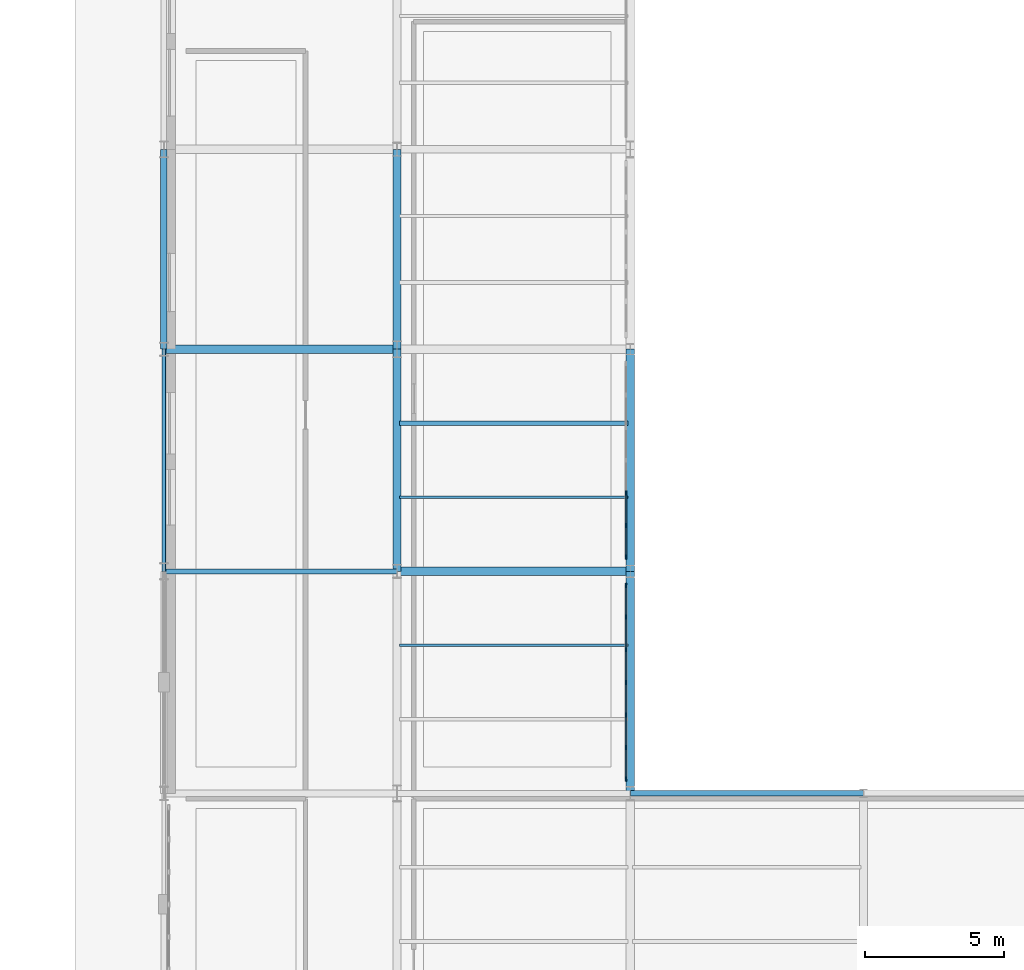
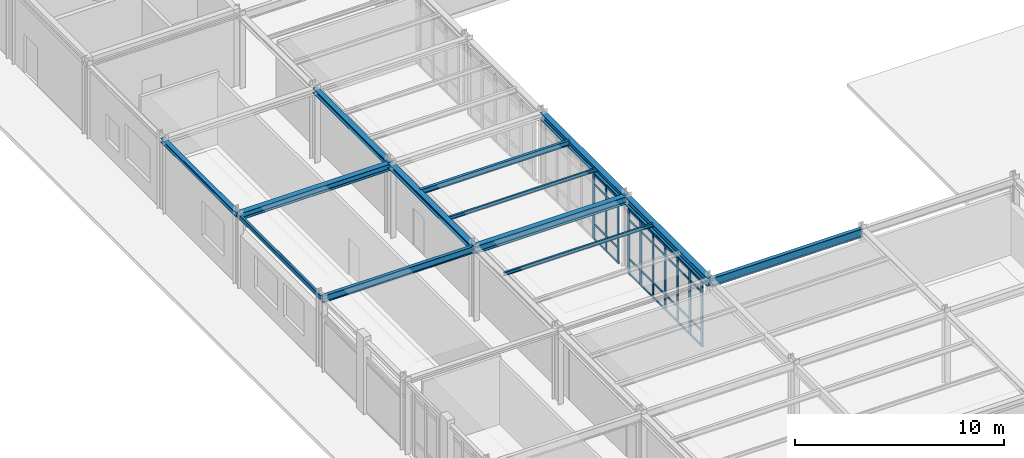
# One storey, part 38 of 101: 42 members, 13 beams, 2 elements without a shape of their own.
"""IFC4 building model written with IfcOpenShell, lengths in metres."""

import ifcopenshell
import ifcopenshell.guid

model = None  # the IFC model being written
_history = None  # IfcOwnerHistory: only IFC2X3 demands one
_inside = {}  # id of a spatial element -> (the spatial element, [elements in it])
_under = {}  # id of a project, library or spatial element -> (it, [spatial elements below it])
_declared = {}  # id of a project -> (the project, [libraries it declares])
_typed = {}  # id of a type object -> (the type object, [elements of that type])
_made_of = {}  # id of a material, layer set ... -> (it, [elements and type objects made of it])


def new_model(schema):
    """Start an empty IFC model of exactly this schema.

    Asked for "IFC4X3", IfcOpenShell would pick the latest addendum, in which some entities
    have other attributes; the version numbers below select the first issue.
    IFC2X3 requires an IfcOwnerHistory on every rooted entity: one is made here for all.
    """
    global model, _history
    if schema == "IFC4X3":
        model = ifcopenshell.file(schema_version=(4, 3, 0, 0))
    else:
        model = ifcopenshell.file(schema=schema)
    _inside.clear()
    _under.clear()
    _declared.clear()
    _typed.clear()
    _made_of.clear()
    _history = None
    if model.schema == "IFC2X3":
        org = make("IfcOrganization", Name="unknown")
        user = make(
            "IfcPersonAndOrganization",
            ThePerson=make("IfcPerson", FamilyName="unknown"),
            TheOrganization=org,
        )
        app = make(
            "IfcApplication",
            ApplicationDeveloper=org,
            Version="unknown",
            ApplicationFullName="unknown",
            ApplicationIdentifier="unknown",
        )
        _history = make(
            "IfcOwnerHistory",
            OwningUser=user,
            OwningApplication=app,
            ChangeAction="ADDED",
            CreationDate=0,
        )
    return model


def make(cls, **values):
    """One entity of the class cls with the attributes given. An attribute that is None is left unset."""
    return model.create_entity(
        cls, **{name: value for name, value in values.items() if value is not None}
    )


def rooted(cls, **values):
    """An entity with a GlobalId (a new one), such as an element, a storey or a relation."""
    return make(cls, GlobalId=ifcopenshell.guid.new(), OwnerHistory=_history, **values)


def si_unit(unit_type, name, prefix=None):
    """IfcSIUnit, for example si_unit("LENGTHUNIT", "METRE", prefix="MILLI")."""
    return make("IfcSIUnit", UnitType=unit_type, Prefix=prefix, Name=name)


def derived_unit(unit_type, elements):
    """IfcDerivedUnit: a product of units, each with its exponent."""
    return make(
        "IfcDerivedUnit",
        Elements=[
            make("IfcDerivedUnitElement", Unit=unit, Exponent=power)
            for unit, power in elements
        ],
        UnitType=unit_type,
    )


def assignment(units):
    """IfcUnitAssignment: the units of a project."""
    return None if units is None else make("IfcUnitAssignment", Units=units)


def point(xyz):
    """IfcCartesianPoint."""
    return None if xyz is None else make("IfcCartesianPoint", Coordinates=xyz)


def direction(xyz):
    """IfcDirection."""
    return None if xyz is None else make("IfcDirection", DirectionRatios=xyz)


def frame(location, z_axis=None, x_axis=None):
    """IfcAxis2Placement3D, a coordinate frame: its origin and axes. An axis left out is left unset."""
    return make(
        "IfcAxis2Placement3D",
        Location=point(location),
        Axis=direction(z_axis),
        RefDirection=direction(x_axis),
    )


def frame_2d(location, x_axis=None):
    """IfcAxis2Placement2D, a coordinate frame in the plane: its origin and x axis."""
    return make(
        "IfcAxis2Placement2D", Location=point(location), RefDirection=direction(x_axis)
    )


def origin():
    """The frame at (0, 0, 0) with its axes left unset."""
    return frame((0.0, 0.0, 0.0))


def origin_2d():
    """The frame at (0, 0) in the plane with its x axis left unset."""
    return frame_2d((0.0, 0.0))


def place(relative_to, where):
    """IfcLocalPlacement: puts the frame where relative to a parent placement (None: the world)."""
    return make(
        "IfcLocalPlacement", PlacementRelTo=relative_to, RelativePlacement=where
    )


def context(
    kind, dimensions, precision=None, world=None, true_north=None, identifier=None
):
    """IfcGeometricRepresentationContext, for example the 3D "Model" context."""
    return make(
        "IfcGeometricRepresentationContext",
        ContextIdentifier=identifier,
        ContextType=kind,
        CoordinateSpaceDimension=dimensions,
        Precision=precision,
        WorldCoordinateSystem=world,
        TrueNorth=true_north,
    )


def subcontext(parent, identifier, kind, view, scale=None):
    """IfcGeometricRepresentationSubContext, for example "Body" below "Model"."""
    return make(
        "IfcGeometricRepresentationSubContext",
        ContextIdentifier=identifier,
        ContextType=kind,
        ParentContext=parent,
        TargetScale=scale,
        TargetView=view,
    )


def project(units=None, contexts=None):
    """IfcProject with its units and contexts."""
    return rooted(
        "IfcProject",
        Name="project",
        RepresentationContexts=contexts,
        UnitsInContext=assignment(units),
    )


def spatial(cls, under=None, at=None, **own):
    """A site, building, storey or space (cls), placed at a placement, below another one or the project."""
    s = rooted(cls, ObjectPlacement=at, **own)
    if under is not None:
        _under.setdefault(under.id(), (under, []))[1].append(s)
    return s


def profile(cls, at=None, kind="AREA", **sizes):
    """A parametric profile (cls). Its sizes go by their IFC names, for example OverallWidth=200.0."""
    return make(cls, ProfileType=kind, Position=at, **sizes)


def rectangle(**sizes):
    """IfcRectangleProfileDef."""
    return profile("IfcRectangleProfileDef", **sizes)


def hollow_rectangle(**sizes):
    """IfcRectangleHollowProfileDef."""
    return profile("IfcRectangleHollowProfileDef", **sizes)


def i_section(**sizes):
    """IfcIShapeProfileDef."""
    return profile("IfcIShapeProfileDef", **sizes)


def extrude(swept, where, along, depth):
    """IfcExtrudedAreaSolid: the profile swept, set in the frame where, extruded along a direction by depth."""
    return make(
        "IfcExtrudedAreaSolid",
        SweptArea=swept,
        Position=where,
        ExtrudedDirection=direction(along),
        Depth=depth,
    )


def shape(context_of_items, identifier, shape_type, items):
    """IfcShapeRepresentation: the items that make up one representation, for example the "Body"."""
    return make(
        "IfcShapeRepresentation",
        ContextOfItems=context_of_items,
        RepresentationIdentifier=identifier,
        RepresentationType=shape_type,
        Items=items,
    )


def material(Name=None, Category=None):
    """IfcMaterial."""
    return make("IfcMaterial", Name=Name, Category=Category)


def layer(
    of_material, thickness, ventilated=None, Name=None, Category=None, Priority=None
):
    """IfcMaterialLayer: one layer of a wall or slab, of a material (None: an air gap)."""
    return make(
        "IfcMaterialLayer",
        Material=of_material,
        LayerThickness=thickness,
        IsVentilated=ventilated,
        Name=Name,
        Category=Category,
        Priority=Priority,
    )


def layer_set(layers, Name=None):
    """IfcMaterialLayerSet."""
    return make("IfcMaterialLayerSet", MaterialLayers=layers, LayerSetName=Name)


def material_profile(
    of_material, cross_section, Name=None, Category=None, Priority=None
):
    """IfcMaterialProfile: a cross section and its material."""
    return make(
        "IfcMaterialProfile",
        Name=Name,
        Material=of_material,
        Profile=cross_section,
        Priority=Priority,
        Category=Category,
    )


def profile_set(profiles, Name=None, composite=None):
    """IfcMaterialProfileSet."""
    return make(
        "IfcMaterialProfileSet",
        Name=Name,
        MaterialProfiles=profiles,
        CompositeProfile=composite,
    )


def made_of(thing, what):
    """Note that an element or type object is made of a material, layer set ...; save() writes the relation."""
    if what is not None:
        _made_of.setdefault(what.id(), (what, []))[1].append(thing)
    return thing


def type_object(cls, material=None, **own):
    """A type object (cls), such as IfcWallType, which elements share."""
    return made_of(rooted(cls, **own), material)


def element(
    cls,
    number,
    at=None,
    inside=None,
    cuts=None,
    type_object=None,
    material=None,
    context=None,
    identifier="Body",
    shape_type=None,
    held_by="IfcProductDefinitionShape",
    body=None,
    shapes=None,
    **own,
):
    """One element of the class cls, such as IfcWall. Its Tag is "e" and its number.

    at: its placement. inside: the storey or other place that contains it. cuts: it is an
    opening in that element (IfcRelVoidsElement). A single representation is given by context,
    identifier, shape_type and body (its items); several are given by shapes. held_by: the class
    of the entity that holds the representations. save() writes the other relations.
    """
    e = rooted(cls, Tag="e%d" % number, ObjectPlacement=at, **own)
    if body is not None:
        shapes = [shape(context, identifier, shape_type, body)]
    if shapes is not None:
        e.Representation = make(held_by, Representations=shapes)
    if inside is not None:
        _inside.setdefault(inside.id(), (inside, []))[1].append(e)
    if cuts is not None:
        rooted(
            "IfcRelVoidsElement", RelatingBuildingElement=cuts, RelatedOpeningElement=e
        )
    if type_object is not None:
        _typed.setdefault(type_object.id(), (type_object, []))[1].append(e)
    return made_of(e, material)


def aggregate(whole, parts):
    """IfcRelAggregates: a whole, such as a stair, and the parts it consists of."""
    return rooted("IfcRelAggregates", RelatingObject=whole, RelatedObjects=parts)


def save(model, path):
    """Write the relations noted so far, then the file.

    IfcRelAggregates (storeys below a building ...), IfcRelContainedInSpatialStructure (elements
    in a storey), IfcRelDefinesByType, IfcRelAssociatesMaterial and IfcRelDeclares: one each for
    every whole, place, type object, material and project.
    """
    for whole, parts in _under.values():
        aggregate(whole, parts)
    for where, things in _inside.values():
        rooted(
            "IfcRelContainedInSpatialStructure",
            RelatedElements=things,
            RelatingStructure=where,
        )
    for kind, things in _typed.values():
        rooted("IfcRelDefinesByType", RelatedObjects=things, RelatingType=kind)
    for what, things in _made_of.values():
        rooted("IfcRelAssociatesMaterial", RelatedObjects=things, RelatingMaterial=what)
    for by, libraries in _declared.values():
        rooted("IfcRelDeclares", RelatingContext=by, RelatedDefinitions=libraries)
    model.write(path)


model = new_model("IFC4")

# Units and contexts
model_context = context("Model", 3, precision=1e-05, world=origin(), true_north=direction((0.0, 1.0)))
body_context = subcontext(model_context, "Body", "Model", "MODEL_VIEW")
ifc_project = project(units=[si_unit("LENGTHUNIT", "METRE"), si_unit("AREAUNIT", "SQUARE_METRE"), si_unit("VOLUMEUNIT", "CUBIC_METRE"), si_unit("PLANEANGLEUNIT", "RADIAN"), si_unit("MASSUNIT", "GRAM", prefix="KILO"), derived_unit("THERMALTRANSMITTANCEUNIT", [(si_unit("POWERUNIT", "WATT"), 1), (si_unit("AREAUNIT", "SQUARE_METRE"), -1), (si_unit("THERMODYNAMICTEMPERATUREUNIT", "KELVIN"), -1)])], contexts=[model_context])

# Site, building, storey
site_placement = place(None, origin())
site = spatial("IfcSite", under=ifc_project, at=site_placement, CompositionType="ELEMENT")
building_placement = place(site_placement, origin())
building = spatial("IfcBuilding", under=site, at=building_placement, Name="Yasenodar Specialist Clinic", CompositionType="ELEMENT")
storey_placement = place(building_placement, origin())
storey = spatial("IfcBuildingStorey", under=building, at=storey_placement, Name="L00", CompositionType="ELEMENT", Elevation=0.0)

# Beams
ifc_material_1 = material(Name="Steel S355", Category="steel")
ifc_material_profile_1 = material_profile(ifc_material_1, i_section(OverallWidth=0.300048828125, OverallDepth=0.389892578125, WebThickness=0.010986328125, FlangeThickness=0.01904296875, FilletRadius=0.027099609375, at=origin_2d()), Name="HEA 400")
ifc_profile_set_1 = profile_set([ifc_material_profile_1], Name="Steel S355")
beam_type_1 = type_object("IfcBeamType", Name="BM-HEA400", PredefinedType="BEAM", material=ifc_profile_set_1)
beam_1_placement = place(storey_placement, frame((0.0, 82.800048828125, 4.054931640625), z_axis=(1.0, 0.0, 0.0), x_axis=(0.0, 1.0, 0.0)))
element("IfcBeam", 1, at=beam_1_placement, inside=storey, type_object=beam_type_1, Name="L00 Primary E-W Girder", PredefinedType="BEAM", context=body_context, shape_type="SweptSolid", body=[
    extrude(i_section(OverallWidth=0.300048828125, OverallDepth=0.389892578125, WebThickness=0.010986328125, FlangeThickness=0.01904296875, FilletRadius=0.027099609375, at=origin_2d()), origin(), (0.0, 0.0, 1.0), 8.39990234375),
])
ifc_material_profile_2 = material_profile(ifc_material_1, i_section(OverallWidth=0.300048828125, OverallDepth=0.43994140625, WebThickness=0.011474609375, FlangeThickness=0.02099609375, FilletRadius=0.027099609375, at=origin_2d()), Name="HEA 450")
ifc_profile_set_2 = profile_set([ifc_material_profile_2], Name="Steel S355")
beam_type_2 = type_object("IfcBeamType", Name="BM-HEA450", PredefinedType="BEAM", material=ifc_profile_set_2)
beam_2_placement = place(storey_placement, frame((8.39990234375, 74.800048828125, 4.030029296875), z_axis=(1.0, 0.0, 0.0), x_axis=(0.0, 1.0, 0.0)))
element("IfcBeam", 2, at=beam_2_placement, inside=storey, type_object=beam_type_2, Name="L00 Primary E-W Girder", PredefinedType="BEAM", context=body_context, shape_type="SweptSolid", body=[
    extrude(i_section(OverallWidth=0.300048828125, OverallDepth=0.43994140625, WebThickness=0.011474609375, FlangeThickness=0.02099609375, FilletRadius=0.027099609375, at=origin_2d()), origin(), (0.0, 0.0, 1.0), 8.400146484375),
])
ifc_material_profile_3 = material_profile(ifc_material_1, i_section(OverallWidth=0.280029296875, OverallDepth=0.280029296875, WebThickness=0.010498046875, FlangeThickness=0.01806640625, FilletRadius=0.02392578125, at=origin_2d()), Name="HEB 280")
ifc_profile_set_3 = profile_set([ifc_material_profile_3], Name="Steel S355")
beam_type_3 = type_object("IfcBeamType", Name="BM-HEB280", PredefinedType="BEAM", material=ifc_profile_set_3)
beam_3_placement = place(storey_placement, frame((8.39990234375, 82.800048828125, 4.110107421875), z_axis=(0.0, 1.0, 0.0), x_axis=(-1.0, 0.0, 0.0)))
element("IfcBeam", 3, at=beam_3_placement, inside=storey, type_object=beam_type_3, Name="L00 Primary N-S Girder", PredefinedType="BEAM", context=body_context, shape_type="SweptSolid", body=[
    extrude(i_section(OverallWidth=0.280029296875, OverallDepth=0.280029296875, WebThickness=0.010498046875, FlangeThickness=0.01806640625, FilletRadius=0.02392578125, at=origin_2d()), origin(), (0.0, 0.0, 1.0), 7.199951171875),
])
ifc_material_profile_4 = material_profile(ifc_material_1, i_section(OverallWidth=0.300048828125, OverallDepth=0.300048828125, WebThickness=0.010986328125, FlangeThickness=0.01904296875, FilletRadius=0.027099609375, at=origin_2d()), Name="HEB 300")
ifc_profile_set_4 = profile_set([ifc_material_profile_4], Name="Steel S355")
beam_type_4 = type_object("IfcBeamType", Name="BM-HEB300", PredefinedType="BEAM", material=ifc_profile_set_4)
beam_4_placement = place(storey_placement, frame((8.39990234375, 74.800048828125, 4.10009765625), z_axis=(0.0, 1.0, 0.0), x_axis=(-1.0, 0.0, 0.0)))
element("IfcBeam", 4, at=beam_4_placement, inside=storey, type_object=beam_type_4, Name="L00 Primary N-S Girder", PredefinedType="BEAM", context=body_context, shape_type="SweptSolid", body=[
    extrude(i_section(OverallWidth=0.300048828125, OverallDepth=0.300048828125, WebThickness=0.010986328125, FlangeThickness=0.01904296875, FilletRadius=0.027099609375, at=origin_2d()), origin(), (0.0, 0.0, 1.0), 8.0),
])
ifc_material_profile_5 = material_profile(ifc_material_1, i_section(OverallWidth=0.300048828125, OverallDepth=0.39990234375, WebThickness=0.013427734375, FlangeThickness=0.02392578125, FilletRadius=0.027099609375, at=origin_2d()), Name="HEB 400")
ifc_profile_set_5 = profile_set([ifc_material_profile_5], Name="Steel S355")
beam_type_5 = type_object("IfcBeamType", Name="BM-HEB400", PredefinedType="BEAM", material=ifc_profile_set_5)
beam_5_placement = place(storey_placement, frame((16.800048828125, 74.800048828125, 4.050048828125), z_axis=(0.0, 1.0, 0.0), x_axis=(-1.0, 0.0, 0.0)))
element("IfcBeam", 5, at=beam_5_placement, inside=storey, type_object=beam_type_5, Name="L00 Primary N-S Girder", PredefinedType="BEAM", context=body_context, shape_type="SweptSolid", body=[
    extrude(i_section(OverallWidth=0.300048828125, OverallDepth=0.39990234375, WebThickness=0.013427734375, FlangeThickness=0.02392578125, FilletRadius=0.027099609375, at=origin_2d()), origin(), (0.0, 0.0, 1.0), 8.0),
])
ifc_material_profile_6 = material_profile(ifc_material_1, i_section(OverallWidth=0.300048828125, OverallDepth=0.449951171875, WebThickness=0.013916015625, FlangeThickness=0.02587890625, FilletRadius=0.027099609375, at=origin_2d()), Name="HEB 450")
ifc_profile_set_6 = profile_set([ifc_material_profile_6], Name="Steel S355")
beam_type_6 = type_object("IfcBeamType", Name="BM-HEB450", PredefinedType="BEAM", material=ifc_profile_set_6)
beam_6_placement = place(storey_placement, frame((16.800048828125, 66.800048828125, 4.02490234375), z_axis=(0.0, 1.0, 0.0), x_axis=(-1.0, 0.0, 0.0)))
element("IfcBeam", 6, at=beam_6_placement, inside=storey, type_object=beam_type_6, Name="L00 Primary N-S Girder", PredefinedType="BEAM", context=body_context, shape_type="SweptSolid", body=[
    extrude(i_section(OverallWidth=0.300048828125, OverallDepth=0.449951171875, WebThickness=0.013916015625, FlangeThickness=0.02587890625, FilletRadius=0.027099609375, at=origin_2d()), origin(), (0.0, 0.0, 1.0), 8.0),
])
ifc_material_profile_7 = material_profile(ifc_material_1, i_section(OverallWidth=0.179931640625, OverallDepth=0.39990234375, WebThickness=0.008544921875, FlangeThickness=0.013427734375, FilletRadius=0.02099609375, at=origin_2d()), Name="IPE 400")
ifc_profile_set_7 = profile_set([ifc_material_profile_7], Name="Steel S355")
beam_type_7 = type_object("IfcBeamType", Name="BM-IPE400", PredefinedType="BEAM", material=ifc_profile_set_7)
beam_7_placement = place(storey_placement, frame((0.0, 74.800048828125, 4.050048828125), z_axis=(1.0, 0.0, 0.0), x_axis=(0.0, 1.0, 0.0)))
element("IfcBeam", 7, at=beam_7_placement, inside=storey, type_object=beam_type_7, Name="L00 Primary E-W Girder", PredefinedType="BEAM", context=body_context, shape_type="SweptSolid", body=[
    extrude(i_section(OverallWidth=0.179931640625, OverallDepth=0.39990234375, WebThickness=0.008544921875, FlangeThickness=0.013427734375, FilletRadius=0.02099609375, at=origin_2d()), origin(), (0.0, 0.0, 1.0), 8.39990234375),
])
ifc_material_profile_8 = material_profile(ifc_material_1, i_section(OverallWidth=0.199951171875, OverallDepth=0.5, WebThickness=0.01025390625, FlangeThickness=0.01611328125, FilletRadius=0.02099609375, at=origin_2d()), Name="IPE 500")
ifc_profile_set_8 = profile_set([ifc_material_profile_8], Name="Steel S355")
beam_type_8 = type_object("IfcBeamType", Name="BM-IPE500", PredefinedType="BEAM", material=ifc_profile_set_8)
beam_8_placement = place(storey_placement, frame((16.800048828125, 66.800048828125, 4.0), z_axis=(1.0, 0.0, 0.0), x_axis=(0.0, 1.0, 0.0)))
element("IfcBeam", 8, at=beam_8_placement, inside=storey, type_object=beam_type_8, Name="L00 Primary E-W Girder", PredefinedType="BEAM", context=body_context, shape_type="SweptSolid", body=[
    extrude(i_section(OverallWidth=0.199951171875, OverallDepth=0.5, WebThickness=0.01025390625, FlangeThickness=0.01611328125, FilletRadius=0.02099609375, at=origin_2d()), origin(), (0.0, 0.0, 1.0), 8.39990234375),
])

# Curtain wall, members
ifc_material_2 = material(Name="Bronze Anodized Aluminium and Triple Low-E Glass", Category="aluminium")
ifc_layer = layer(ifc_material_2, 0.202880859375)
ifc_layer_set = layer_set([ifc_layer], Name="Bronze Anodized Aluminium and Triple Low-E Glass")
curtain_wall_type = type_object("IfcCurtainWallType", Name="CW-SYS-04", PredefinedType="USERDEFINED", material=ifc_layer_set)
curtain_wall_1_placement = place(storey_placement, origin())
curtain_wall_1 = element("IfcCurtainWall", 9, at=curtain_wall_1_placement, inside=storey, type_object=curtain_wall_type, Name="L00 Unitised Curtain Wall 116", ObjectType="UNITISED CURTAIN WALL", PredefinedType="USERDEFINED")
ifc_material_3 = material(Name="Bronze Anodized Aluminium", Category="aluminium")
ifc_material_profile_9 = material_profile(ifc_material_3, rectangle(XDim=0.06005859375, YDim=0.159912109375, at=origin_2d()), Name="CW-MULL 60x160")
ifc_profile_set_9 = profile_set([ifc_material_profile_9], Name="Bronze Anodized Aluminium")
member_type_1 = type_object("IfcMemberType", Name="CW-MULL-160", PredefinedType="MULLION", material=ifc_profile_set_9)
member_1_placement = place(storey_placement, frame((16.64990234375, 77.626708984375, 0.0), z_axis=(0.0, 0.0, 1.0), x_axis=(1.0, 0.0, 0.0)))
member_1 = element("IfcMember", 10, at=member_1_placement, type_object=member_type_1, Name="CW-04 mullion 5", PredefinedType="MULLION", context=body_context, shape_type="SweptSolid", body=[
    extrude(rectangle(XDim=0.06005859375, YDim=0.159912109375, at=origin_2d()), origin(), (0.0, 0.0, 1.0), 3.827880859375),
])
member_2_placement = place(storey_placement, frame((16.64990234375, 76.453369140625, 0.0), z_axis=(0.0, 0.0, 1.0), x_axis=(1.0, 0.0, 0.0)))
member_2 = element("IfcMember", 11, at=member_2_placement, type_object=member_type_1, Name="CW-04 mullion 6", PredefinedType="MULLION", context=body_context, shape_type="SweptSolid", body=[
    extrude(rectangle(XDim=0.06005859375, YDim=0.159912109375, at=origin_2d()), origin(), (0.0, 0.0, 1.0), 3.827880859375),
])
member_3_placement = place(storey_placement, frame((16.64990234375, 75.31005859375, 0.0), z_axis=(0.0, 0.0, 1.0), x_axis=(1.0, 0.0, 0.0)))
member_3 = element("IfcMember", 12, at=member_3_placement, type_object=member_type_1, Name="CW-04 mullion 7", PredefinedType="MULLION", context=body_context, shape_type="SweptSolid", body=[
    extrude(rectangle(XDim=0.06005859375, YDim=0.159912109375, at=origin_2d()), origin(), (0.0, 0.0, 1.0), 3.827880859375),
])

curtain_wall_2_placement = place(storey_placement, origin())
curtain_wall_2 = element("IfcCurtainWall", 13, at=curtain_wall_2_placement, inside=storey, type_object=curtain_wall_type, Name="L00 Unitised Curtain Wall 117", ObjectType="UNITISED CURTAIN WALL", PredefinedType="USERDEFINED")
member_4_placement = place(storey_placement, frame((16.64990234375, 74.2900390625, 0.0), z_axis=(0.0, 0.0, 1.0), x_axis=(1.0, 0.0, 0.0)))
member_4 = element("IfcMember", 14, at=member_4_placement, type_object=member_type_1, Name="CW-04 mullion 1", PredefinedType="MULLION", context=body_context, shape_type="SweptSolid", body=[
    extrude(rectangle(XDim=0.06005859375, YDim=0.159912109375, at=origin_2d()), origin(), (0.0, 0.0, 1.0), 3.778076171875),
])
member_5_placement = place(storey_placement, frame((16.64990234375, 73.146728515625, 0.0), z_axis=(0.0, 0.0, 1.0), x_axis=(1.0, 0.0, 0.0)))
member_5 = element("IfcMember", 15, at=member_5_placement, type_object=member_type_1, Name="CW-04 mullion 2", PredefinedType="MULLION", context=body_context, shape_type="SweptSolid", body=[
    extrude(rectangle(XDim=0.06005859375, YDim=0.159912109375, at=origin_2d()), origin(), (0.0, 0.0, 1.0), 3.778076171875),
])
member_6_placement = place(storey_placement, frame((16.64990234375, 71.973388671875, 0.0), z_axis=(0.0, 0.0, 1.0), x_axis=(1.0, 0.0, 0.0)))
member_6 = element("IfcMember", 16, at=member_6_placement, type_object=member_type_1, Name="CW-04 mullion 3", PredefinedType="MULLION", context=body_context, shape_type="SweptSolid", body=[
    extrude(rectangle(XDim=0.06005859375, YDim=0.159912109375, at=origin_2d()), origin(), (0.0, 0.0, 1.0), 3.778076171875),
])
member_7_placement = place(storey_placement, frame((16.64990234375, 70.800048828125, 0.0), z_axis=(0.0, 0.0, 1.0), x_axis=(1.0, 0.0, 0.0)))
member_7 = element("IfcMember", 17, at=member_7_placement, type_object=member_type_1, Name="CW-04 mullion 4", PredefinedType="MULLION", context=body_context, shape_type="SweptSolid", body=[
    extrude(rectangle(XDim=0.06005859375, YDim=0.159912109375, at=origin_2d()), origin(), (0.0, 0.0, 1.0), 3.778076171875),
])
member_8_placement = place(storey_placement, frame((16.64990234375, 69.626708984375, 0.0), z_axis=(0.0, 0.0, 1.0), x_axis=(1.0, 0.0, 0.0)))
member_8 = element("IfcMember", 18, at=member_8_placement, type_object=member_type_1, Name="CW-04 mullion 5", PredefinedType="MULLION", context=body_context, shape_type="SweptSolid", body=[
    extrude(rectangle(XDim=0.06005859375, YDim=0.159912109375, at=origin_2d()), origin(), (0.0, 0.0, 1.0), 3.778076171875),
])
member_9_placement = place(storey_placement, frame((16.64990234375, 68.453369140625, 0.0), z_axis=(0.0, 0.0, 1.0), x_axis=(1.0, 0.0, 0.0)))
member_9 = element("IfcMember", 19, at=member_9_placement, type_object=member_type_1, Name="CW-04 mullion 6", PredefinedType="MULLION", context=body_context, shape_type="SweptSolid", body=[
    extrude(rectangle(XDim=0.06005859375, YDim=0.159912109375, at=origin_2d()), origin(), (0.0, 0.0, 1.0), 3.778076171875),
])
member_10_placement = place(storey_placement, frame((16.64990234375, 67.31005859375, 0.0), z_axis=(0.0, 0.0, 1.0), x_axis=(1.0, 0.0, 0.0)))
member_10 = element("IfcMember", 20, at=member_10_placement, type_object=member_type_1, Name="CW-04 mullion 7", PredefinedType="MULLION", context=body_context, shape_type="SweptSolid", body=[
    extrude(rectangle(XDim=0.06005859375, YDim=0.159912109375, at=origin_2d()), origin(), (0.0, 0.0, 1.0), 3.778076171875),
])

# Member
ifc_material_profile_10 = material_profile(ifc_material_3, rectangle(XDim=0.06005859375, YDim=0.1201171875, at=origin_2d()), Name="CW-TRAN 60x120")
ifc_profile_set_10 = profile_set([ifc_material_profile_10], Name="Bronze Anodized Aluminium")
member_type_2 = type_object("IfcMemberType", Name="CW-TRAN-120", PredefinedType="USERDEFINED", material=ifc_profile_set_10)
member_11_placement = place(storey_placement, frame((16.64990234375, 77.5966796875, 0.030029296875), z_axis=(0.0, -1.0, 0.0), x_axis=(1.0, 0.0, 0.0)))
member_11 = element("IfcMember", 21, at=member_11_placement, type_object=member_type_2, Name="CW-04 transom 5.1", ObjectType="TRANSOM", PredefinedType="USERDEFINED", context=body_context, shape_type="SweptSolid", body=[
    extrude(rectangle(XDim=0.06005859375, YDim=0.1201171875, at=origin_2d()), origin(), (0.0, 0.0, 1.0), 1.11328125),
])

member_12_placement = place(storey_placement, frame((16.64990234375, 77.5966796875, 0.89990234375), z_axis=(0.0, -1.0, 0.0), x_axis=(1.0, 0.0, 0.0)))
member_12 = element("IfcMember", 22, at=member_12_placement, type_object=member_type_2, Name="CW-04 transom 5.2", ObjectType="TRANSOM", PredefinedType="USERDEFINED", context=body_context, shape_type="SweptSolid", body=[
    extrude(rectangle(XDim=0.06005859375, YDim=0.1201171875, at=origin_2d()), origin(), (0.0, 0.0, 1.0), 1.11328125),
])

member_13_placement = place(storey_placement, frame((16.64990234375, 77.5966796875, 3.22802734375), z_axis=(0.0, -1.0, 0.0), x_axis=(1.0, 0.0, 0.0)))
member_13 = element("IfcMember", 23, at=member_13_placement, type_object=member_type_2, Name="CW-04 transom 5.3", ObjectType="TRANSOM", PredefinedType="USERDEFINED", context=body_context, shape_type="SweptSolid", body=[
    extrude(rectangle(XDim=0.06005859375, YDim=0.1201171875, at=origin_2d()), origin(), (0.0, 0.0, 1.0), 1.11328125),
])

member_14_placement = place(storey_placement, frame((16.64990234375, 77.5966796875, 3.798095703125), z_axis=(0.0, -1.0, 0.0), x_axis=(1.0, 0.0, 0.0)))
member_14 = element("IfcMember", 24, at=member_14_placement, type_object=member_type_2, Name="CW-04 transom 5.4", ObjectType="TRANSOM", PredefinedType="USERDEFINED", context=body_context, shape_type="SweptSolid", body=[
    extrude(rectangle(XDim=0.06005859375, YDim=0.1201171875, at=origin_2d()), origin(), (0.0, 0.0, 1.0), 1.11328125),
])

member_15_placement = place(storey_placement, frame((16.64990234375, 76.42333984375, 0.030029296875), z_axis=(0.0, -1.0, 0.0), x_axis=(1.0, 0.0, 0.0)))
member_15 = element("IfcMember", 25, at=member_15_placement, type_object=member_type_2, Name="CW-04 transom 6.1", ObjectType="TRANSOM", PredefinedType="USERDEFINED", context=body_context, shape_type="SweptSolid", body=[
    extrude(rectangle(XDim=0.06005859375, YDim=0.1201171875, at=origin_2d()), origin(), (0.0, 0.0, 1.0), 1.083251953125),
])

member_16_placement = place(storey_placement, frame((16.64990234375, 76.42333984375, 0.89990234375), z_axis=(0.0, -1.0, 0.0), x_axis=(1.0, 0.0, 0.0)))
member_16 = element("IfcMember", 26, at=member_16_placement, type_object=member_type_2, Name="CW-04 transom 6.2", ObjectType="TRANSOM", PredefinedType="USERDEFINED", context=body_context, shape_type="SweptSolid", body=[
    extrude(rectangle(XDim=0.06005859375, YDim=0.1201171875, at=origin_2d()), origin(), (0.0, 0.0, 1.0), 1.083251953125),
])

member_17_placement = place(storey_placement, frame((16.64990234375, 76.42333984375, 3.22802734375), z_axis=(0.0, -1.0, 0.0), x_axis=(1.0, 0.0, 0.0)))
member_17 = element("IfcMember", 27, at=member_17_placement, type_object=member_type_2, Name="CW-04 transom 6.3", ObjectType="TRANSOM", PredefinedType="USERDEFINED", context=body_context, shape_type="SweptSolid", body=[
    extrude(rectangle(XDim=0.06005859375, YDim=0.1201171875, at=origin_2d()), origin(), (0.0, 0.0, 1.0), 1.083251953125),
])

member_18_placement = place(storey_placement, frame((16.64990234375, 76.42333984375, 3.798095703125), z_axis=(0.0, -1.0, 0.0), x_axis=(1.0, 0.0, 0.0)))
member_18 = element("IfcMember", 28, at=member_18_placement, type_object=member_type_2, Name="CW-04 transom 6.4", ObjectType="TRANSOM", PredefinedType="USERDEFINED", context=body_context, shape_type="SweptSolid", body=[
    extrude(rectangle(XDim=0.06005859375, YDim=0.1201171875, at=origin_2d()), origin(), (0.0, 0.0, 1.0), 1.083251953125),
])

aggregate(curtain_wall_1, [member_1, member_2, member_3, member_11, member_12, member_13, member_14, member_15, member_16, member_17, member_18])

member_19_placement = place(storey_placement, frame((16.64990234375, 74.260009765625, 0.030029296875), z_axis=(0.0, -1.0, 0.0), x_axis=(1.0, 0.0, 0.0)))
member_19 = element("IfcMember", 29, at=member_19_placement, type_object=member_type_2, Name="CW-04 transom 1.1", ObjectType="TRANSOM", PredefinedType="USERDEFINED", context=body_context, shape_type="SweptSolid", body=[
    extrude(rectangle(XDim=0.06005859375, YDim=0.1201171875, at=origin_2d()), origin(), (0.0, 0.0, 1.0), 1.083251953125),
])

member_20_placement = place(storey_placement, frame((16.64990234375, 74.260009765625, 0.89990234375), z_axis=(0.0, -1.0, 0.0), x_axis=(1.0, 0.0, 0.0)))
member_20 = element("IfcMember", 30, at=member_20_placement, type_object=member_type_2, Name="CW-04 transom 1.2", ObjectType="TRANSOM", PredefinedType="USERDEFINED", context=body_context, shape_type="SweptSolid", body=[
    extrude(rectangle(XDim=0.06005859375, YDim=0.1201171875, at=origin_2d()), origin(), (0.0, 0.0, 1.0), 1.083251953125),
])

member_21_placement = place(storey_placement, frame((16.64990234375, 74.260009765625, 3.177978515625), z_axis=(0.0, -1.0, 0.0), x_axis=(1.0, 0.0, 0.0)))
member_21 = element("IfcMember", 31, at=member_21_placement, type_object=member_type_2, Name="CW-04 transom 1.3", ObjectType="TRANSOM", PredefinedType="USERDEFINED", context=body_context, shape_type="SweptSolid", body=[
    extrude(rectangle(XDim=0.06005859375, YDim=0.1201171875, at=origin_2d()), origin(), (0.0, 0.0, 1.0), 1.083251953125),
])

member_22_placement = place(storey_placement, frame((16.64990234375, 74.260009765625, 3.748046875), z_axis=(0.0, -1.0, 0.0), x_axis=(1.0, 0.0, 0.0)))
member_22 = element("IfcMember", 32, at=member_22_placement, type_object=member_type_2, Name="CW-04 transom 1.4", ObjectType="TRANSOM", PredefinedType="USERDEFINED", context=body_context, shape_type="SweptSolid", body=[
    extrude(rectangle(XDim=0.06005859375, YDim=0.1201171875, at=origin_2d()), origin(), (0.0, 0.0, 1.0), 1.083251953125),
])

member_23_placement = place(storey_placement, frame((16.64990234375, 73.11669921875, 0.030029296875), z_axis=(0.0, -1.0, 0.0), x_axis=(1.0, 0.0, 0.0)))
member_23 = element("IfcMember", 33, at=member_23_placement, type_object=member_type_2, Name="CW-04 transom 2.1", ObjectType="TRANSOM", PredefinedType="USERDEFINED", context=body_context, shape_type="SweptSolid", body=[
    extrude(rectangle(XDim=0.06005859375, YDim=0.1201171875, at=origin_2d()), origin(), (0.0, 0.0, 1.0), 1.11328125),
])

member_24_placement = place(storey_placement, frame((16.64990234375, 73.11669921875, 0.89990234375), z_axis=(0.0, -1.0, 0.0), x_axis=(1.0, 0.0, 0.0)))
member_24 = element("IfcMember", 34, at=member_24_placement, type_object=member_type_2, Name="CW-04 transom 2.2", ObjectType="TRANSOM", PredefinedType="USERDEFINED", context=body_context, shape_type="SweptSolid", body=[
    extrude(rectangle(XDim=0.06005859375, YDim=0.1201171875, at=origin_2d()), origin(), (0.0, 0.0, 1.0), 1.11328125),
])

member_25_placement = place(storey_placement, frame((16.64990234375, 73.11669921875, 3.177978515625), z_axis=(0.0, -1.0, 0.0), x_axis=(1.0, 0.0, 0.0)))
member_25 = element("IfcMember", 35, at=member_25_placement, type_object=member_type_2, Name="CW-04 transom 2.3", ObjectType="TRANSOM", PredefinedType="USERDEFINED", context=body_context, shape_type="SweptSolid", body=[
    extrude(rectangle(XDim=0.06005859375, YDim=0.1201171875, at=origin_2d()), origin(), (0.0, 0.0, 1.0), 1.11328125),
])

member_26_placement = place(storey_placement, frame((16.64990234375, 73.11669921875, 3.748046875), z_axis=(0.0, -1.0, 0.0), x_axis=(1.0, 0.0, 0.0)))
member_26 = element("IfcMember", 36, at=member_26_placement, type_object=member_type_2, Name="CW-04 transom 2.4", ObjectType="TRANSOM", PredefinedType="USERDEFINED", context=body_context, shape_type="SweptSolid", body=[
    extrude(rectangle(XDim=0.06005859375, YDim=0.1201171875, at=origin_2d()), origin(), (0.0, 0.0, 1.0), 1.11328125),
])

member_27_placement = place(storey_placement, frame((16.64990234375, 71.943359375, 0.030029296875), z_axis=(0.0, -1.0, 0.0), x_axis=(1.0, 0.0, 0.0)))
member_27 = element("IfcMember", 37, at=member_27_placement, type_object=member_type_2, Name="CW-04 transom 3.1", ObjectType="TRANSOM", PredefinedType="USERDEFINED", context=body_context, shape_type="SweptSolid", body=[
    extrude(rectangle(XDim=0.06005859375, YDim=0.1201171875, at=origin_2d()), origin(), (0.0, 0.0, 1.0), 1.11328125),
])

member_28_placement = place(storey_placement, frame((16.64990234375, 71.943359375, 0.89990234375), z_axis=(0.0, -1.0, 0.0), x_axis=(1.0, 0.0, 0.0)))
member_28 = element("IfcMember", 38, at=member_28_placement, type_object=member_type_2, Name="CW-04 transom 3.2", ObjectType="TRANSOM", PredefinedType="USERDEFINED", context=body_context, shape_type="SweptSolid", body=[
    extrude(rectangle(XDim=0.06005859375, YDim=0.1201171875, at=origin_2d()), origin(), (0.0, 0.0, 1.0), 1.11328125),
])

member_29_placement = place(storey_placement, frame((16.64990234375, 71.943359375, 3.177978515625), z_axis=(0.0, -1.0, 0.0), x_axis=(1.0, 0.0, 0.0)))
member_29 = element("IfcMember", 39, at=member_29_placement, type_object=member_type_2, Name="CW-04 transom 3.3", ObjectType="TRANSOM", PredefinedType="USERDEFINED", context=body_context, shape_type="SweptSolid", body=[
    extrude(rectangle(XDim=0.06005859375, YDim=0.1201171875, at=origin_2d()), origin(), (0.0, 0.0, 1.0), 1.11328125),
])

member_30_placement = place(storey_placement, frame((16.64990234375, 71.943359375, 3.748046875), z_axis=(0.0, -1.0, 0.0), x_axis=(1.0, 0.0, 0.0)))
member_30 = element("IfcMember", 40, at=member_30_placement, type_object=member_type_2, Name="CW-04 transom 3.4", ObjectType="TRANSOM", PredefinedType="USERDEFINED", context=body_context, shape_type="SweptSolid", body=[
    extrude(rectangle(XDim=0.06005859375, YDim=0.1201171875, at=origin_2d()), origin(), (0.0, 0.0, 1.0), 1.11328125),
])

member_31_placement = place(storey_placement, frame((16.64990234375, 70.77001953125, 0.030029296875), z_axis=(0.0, -1.0, 0.0), x_axis=(1.0, 0.0, 0.0)))
member_31 = element("IfcMember", 41, at=member_31_placement, type_object=member_type_2, Name="CW-04 transom 4.1", ObjectType="TRANSOM", PredefinedType="USERDEFINED", context=body_context, shape_type="SweptSolid", body=[
    extrude(rectangle(XDim=0.06005859375, YDim=0.1201171875, at=origin_2d()), origin(), (0.0, 0.0, 1.0), 1.11328125),
])

member_32_placement = place(storey_placement, frame((16.64990234375, 70.77001953125, 0.89990234375), z_axis=(0.0, -1.0, 0.0), x_axis=(1.0, 0.0, 0.0)))
member_32 = element("IfcMember", 42, at=member_32_placement, type_object=member_type_2, Name="CW-04 transom 4.2", ObjectType="TRANSOM", PredefinedType="USERDEFINED", context=body_context, shape_type="SweptSolid", body=[
    extrude(rectangle(XDim=0.06005859375, YDim=0.1201171875, at=origin_2d()), origin(), (0.0, 0.0, 1.0), 1.11328125),
])

member_33_placement = place(storey_placement, frame((16.64990234375, 70.77001953125, 3.177978515625), z_axis=(0.0, -1.0, 0.0), x_axis=(1.0, 0.0, 0.0)))
member_33 = element("IfcMember", 43, at=member_33_placement, type_object=member_type_2, Name="CW-04 transom 4.3", ObjectType="TRANSOM", PredefinedType="USERDEFINED", context=body_context, shape_type="SweptSolid", body=[
    extrude(rectangle(XDim=0.06005859375, YDim=0.1201171875, at=origin_2d()), origin(), (0.0, 0.0, 1.0), 1.11328125),
])

member_34_placement = place(storey_placement, frame((16.64990234375, 70.77001953125, 3.748046875), z_axis=(0.0, -1.0, 0.0), x_axis=(1.0, 0.0, 0.0)))
member_34 = element("IfcMember", 44, at=member_34_placement, type_object=member_type_2, Name="CW-04 transom 4.4", ObjectType="TRANSOM", PredefinedType="USERDEFINED", context=body_context, shape_type="SweptSolid", body=[
    extrude(rectangle(XDim=0.06005859375, YDim=0.1201171875, at=origin_2d()), origin(), (0.0, 0.0, 1.0), 1.11328125),
])

member_35_placement = place(storey_placement, frame((16.64990234375, 69.5966796875, 0.030029296875), z_axis=(0.0, -1.0, 0.0), x_axis=(1.0, 0.0, 0.0)))
member_35 = element("IfcMember", 45, at=member_35_placement, type_object=member_type_2, Name="CW-04 transom 5.1", ObjectType="TRANSOM", PredefinedType="USERDEFINED", context=body_context, shape_type="SweptSolid", body=[
    extrude(rectangle(XDim=0.06005859375, YDim=0.1201171875, at=origin_2d()), origin(), (0.0, 0.0, 1.0), 1.11328125),
])

member_36_placement = place(storey_placement, frame((16.64990234375, 69.5966796875, 0.89990234375), z_axis=(0.0, -1.0, 0.0), x_axis=(1.0, 0.0, 0.0)))
member_36 = element("IfcMember", 46, at=member_36_placement, type_object=member_type_2, Name="CW-04 transom 5.2", ObjectType="TRANSOM", PredefinedType="USERDEFINED", context=body_context, shape_type="SweptSolid", body=[
    extrude(rectangle(XDim=0.06005859375, YDim=0.1201171875, at=origin_2d()), origin(), (0.0, 0.0, 1.0), 1.11328125),
])

member_37_placement = place(storey_placement, frame((16.64990234375, 69.5966796875, 3.177978515625), z_axis=(0.0, -1.0, 0.0), x_axis=(1.0, 0.0, 0.0)))
member_37 = element("IfcMember", 47, at=member_37_placement, type_object=member_type_2, Name="CW-04 transom 5.3", ObjectType="TRANSOM", PredefinedType="USERDEFINED", context=body_context, shape_type="SweptSolid", body=[
    extrude(rectangle(XDim=0.06005859375, YDim=0.1201171875, at=origin_2d()), origin(), (0.0, 0.0, 1.0), 1.11328125),
])

member_38_placement = place(storey_placement, frame((16.64990234375, 69.5966796875, 3.748046875), z_axis=(0.0, -1.0, 0.0), x_axis=(1.0, 0.0, 0.0)))
member_38 = element("IfcMember", 48, at=member_38_placement, type_object=member_type_2, Name="CW-04 transom 5.4", ObjectType="TRANSOM", PredefinedType="USERDEFINED", context=body_context, shape_type="SweptSolid", body=[
    extrude(rectangle(XDim=0.06005859375, YDim=0.1201171875, at=origin_2d()), origin(), (0.0, 0.0, 1.0), 1.11328125),
])

member_39_placement = place(storey_placement, frame((16.64990234375, 68.42333984375, 0.030029296875), z_axis=(0.0, -1.0, 0.0), x_axis=(1.0, 0.0, 0.0)))
member_39 = element("IfcMember", 49, at=member_39_placement, type_object=member_type_2, Name="CW-04 transom 6.1", ObjectType="TRANSOM", PredefinedType="USERDEFINED", context=body_context, shape_type="SweptSolid", body=[
    extrude(rectangle(XDim=0.06005859375, YDim=0.1201171875, at=origin_2d()), origin(), (0.0, 0.0, 1.0), 1.083251953125),
])

member_40_placement = place(storey_placement, frame((16.64990234375, 68.42333984375, 0.89990234375), z_axis=(0.0, -1.0, 0.0), x_axis=(1.0, 0.0, 0.0)))
member_40 = element("IfcMember", 50, at=member_40_placement, type_object=member_type_2, Name="CW-04 transom 6.2", ObjectType="TRANSOM", PredefinedType="USERDEFINED", context=body_context, shape_type="SweptSolid", body=[
    extrude(rectangle(XDim=0.06005859375, YDim=0.1201171875, at=origin_2d()), origin(), (0.0, 0.0, 1.0), 1.083251953125),
])

member_41_placement = place(storey_placement, frame((16.64990234375, 68.42333984375, 3.177978515625), z_axis=(0.0, -1.0, 0.0), x_axis=(1.0, 0.0, 0.0)))
member_41 = element("IfcMember", 51, at=member_41_placement, type_object=member_type_2, Name="CW-04 transom 6.3", ObjectType="TRANSOM", PredefinedType="USERDEFINED", context=body_context, shape_type="SweptSolid", body=[
    extrude(rectangle(XDim=0.06005859375, YDim=0.1201171875, at=origin_2d()), origin(), (0.0, 0.0, 1.0), 1.083251953125),
])

member_42_placement = place(storey_placement, frame((16.64990234375, 68.42333984375, 3.748046875), z_axis=(0.0, -1.0, 0.0), x_axis=(1.0, 0.0, 0.0)))
member_42 = element("IfcMember", 52, at=member_42_placement, type_object=member_type_2, Name="CW-04 transom 6.4", ObjectType="TRANSOM", PredefinedType="USERDEFINED", context=body_context, shape_type="SweptSolid", body=[
    extrude(rectangle(XDim=0.06005859375, YDim=0.1201171875, at=origin_2d()), origin(), (0.0, 0.0, 1.0), 1.083251953125),
])

aggregate(curtain_wall_2, [member_4, member_5, member_6, member_7, member_8, member_9, member_10, member_19, member_20, member_21, member_22, member_23, member_24, member_25, member_26, member_27, member_28, member_29, member_30, member_31, member_32, member_33, member_34, member_35, member_36, member_37, member_38, member_39, member_40, member_41, member_42])

# Beams
ifc_material_profile_11 = material_profile(ifc_material_1, i_section(OverallWidth=0.10009765625, OverallDepth=0.199951171875, WebThickness=0.005615234375, FlangeThickness=0.008544921875, FilletRadius=0.011962890625, at=origin_2d()), Name="IPE 200")
ifc_profile_set_11 = profile_set([ifc_material_profile_11], Name="Steel S355")
beam_type_9 = type_object("IfcBeamType", Name="JS-IPE200", PredefinedType="JOIST", material=ifc_profile_set_11)
for number, where, z_axis, x_axis, name in (
    (53, (8.47998046875, 72.13330078125, 4.14990234375), (1.0, 0.0, 0.0), (0.0, 1.0, 0.0), "L00 Composite Floor Joist"),
    (54, (8.47998046875, 77.466796875, 4.14990234375), (1.0, 0.0, 0.0), (0.0, 1.0, 0.0), "L00 Composite Floor Joist"),
):
    element("IfcBeam", number, at=place(storey_placement, frame(where, z_axis=z_axis, x_axis=x_axis)), inside=storey, type_object=beam_type_9, Name=name, PredefinedType="JOIST", context=body_context, shape_type="SweptSolid", body=[
        extrude(i_section(OverallWidth=0.10009765625, OverallDepth=0.199951171875, WebThickness=0.005615234375, FlangeThickness=0.008544921875, FilletRadius=0.011962890625, at=origin_2d()), origin(), (0.0, 0.0, 1.0), 8.239990234375),
    ])
ifc_material_profile_12 = material_profile(ifc_material_1, i_section(OverallWidth=0.14990234375, OverallDepth=0.300048828125, WebThickness=0.007080078125, FlangeThickness=0.0107421875, FilletRadius=0.014892578125, at=origin_2d()), Name="IPE 300")
ifc_profile_set_12 = profile_set([ifc_material_profile_12], Name="Steel S355")
beam_type_10 = type_object("IfcBeamType", Name="JS-IPE300", PredefinedType="JOIST", material=ifc_profile_set_12)
beam_9_placement = place(storey_placement, frame((8.47998046875, 80.13330078125, 4.10009765625), z_axis=(1.0, 0.0, 0.0), x_axis=(0.0, 1.0, 0.0)))
element("IfcBeam", 55, at=beam_9_placement, inside=storey, type_object=beam_type_10, Name="L00 Composite Floor Joist", PredefinedType="JOIST", context=body_context, shape_type="SweptSolid", body=[
    extrude(i_section(OverallWidth=0.14990234375, OverallDepth=0.300048828125, WebThickness=0.007080078125, FlangeThickness=0.0107421875, FilletRadius=0.014892578125, at=origin_2d()), origin(), (0.0, 0.0, 1.0), 8.239990234375),
])
ifc_material_profile_13 = material_profile(ifc_material_1, i_section(OverallWidth=0.239990234375, OverallDepth=0.22998046875, WebThickness=0.007568359375, FlangeThickness=0.011962890625, FilletRadius=0.02099609375, at=origin_2d()), Name="HEA 240")
ifc_profile_set_13 = profile_set([ifc_material_profile_13], Name="Steel S355")
beam_type_11 = type_object("IfcBeamType", Name="SP-HEA240", PredefinedType="SPANDREL", material=ifc_profile_set_13)
beam_10_placement = place(storey_placement, frame((0.0, 82.800048828125, 4.135009765625), z_axis=(0.0, 1.0, 0.0), x_axis=(-1.0, 0.0, 0.0)))
element("IfcBeam", 56, at=beam_10_placement, inside=storey, type_object=beam_type_11, Name="L00 Perimeter Spandrel Beam", PredefinedType="SPANDREL", context=body_context, shape_type="SweptSolid", body=[
    extrude(i_section(OverallWidth=0.239990234375, OverallDepth=0.22998046875, WebThickness=0.007568359375, FlangeThickness=0.011962890625, FilletRadius=0.02099609375, at=origin_2d()), origin(), (0.0, 0.0, 1.0), 7.199951171875),
])
ifc_material_profile_14 = material_profile(ifc_material_1, hollow_rectangle(XDim=0.14990234375, YDim=0.25, WallThickness=0.010009765625, InnerFilletRadius=0.014892578125, OuterFilletRadius=0.02490234375, at=origin_2d()), Name="RHS 250x150x10")
ifc_profile_set_14 = profile_set([ifc_material_profile_14], Name="Steel S355")
beam_type_12 = type_object("IfcBeamType", Name="SP-RHS250", PredefinedType="SPANDREL", material=ifc_profile_set_14)
beam_11_placement = place(storey_placement, frame((0.0, 74.800048828125, 4.125), z_axis=(0.0, 1.0, 0.0), x_axis=(-1.0, 0.0, 0.0)))
element("IfcBeam", 57, at=beam_11_placement, inside=storey, type_object=beam_type_12, Name="L00 Perimeter Spandrel Beam", PredefinedType="SPANDREL", context=body_context, shape_type="SweptSolid", body=[
    extrude(hollow_rectangle(XDim=0.14990234375, YDim=0.25, WallThickness=0.010009765625, InnerFilletRadius=0.014892578125, OuterFilletRadius=0.02490234375, at=origin_2d()), origin(), (0.0, 0.0, 1.0), 8.0),
])

save(model, "model.ifc")
